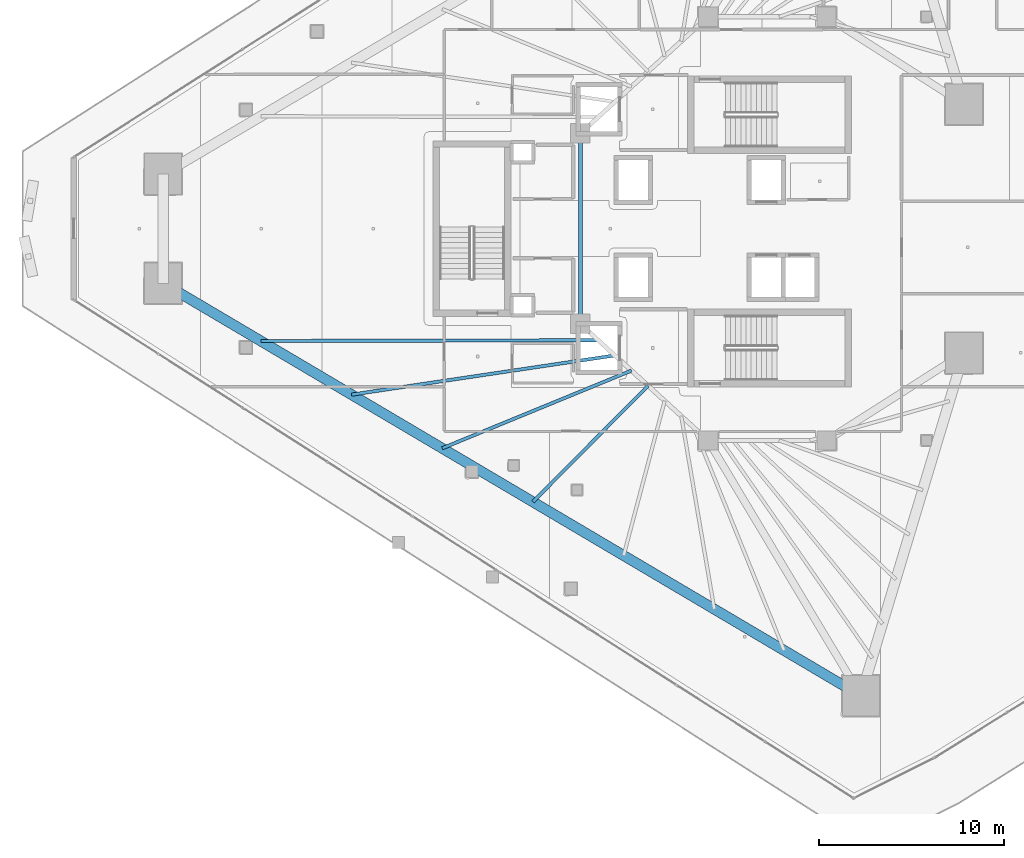
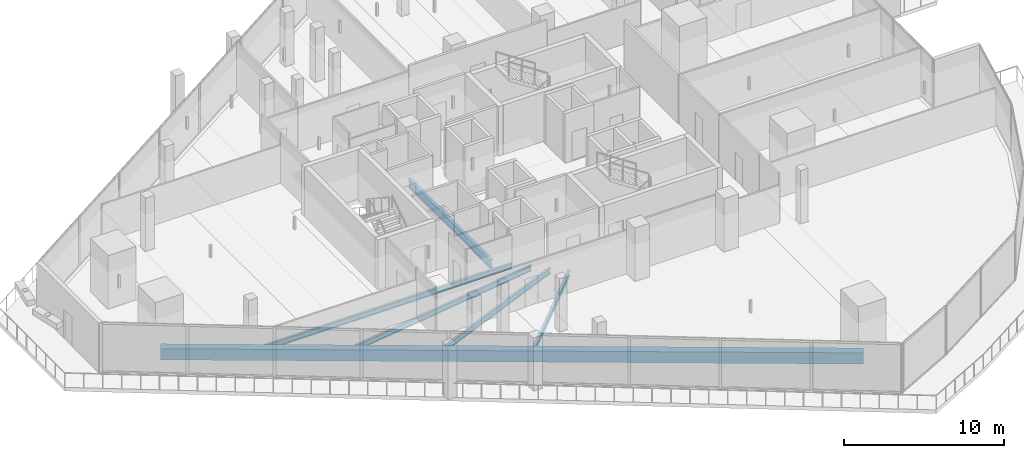
# One storey, part 6 of 42: 6 beams.
"""IFC4 building model written with IfcOpenShell, lengths in metres."""

from ifc_helpers import new_model, si_unit, direction, frame, origin, origin_2d, place, context, subcontext, project, spatial, rectangle, i_section, extrude, material, material_profile, profile_set, type_object, element, save


model = new_model("IFC4")

# Units and contexts
model_context = context("Model", 3, precision=1e-05, world=origin(), true_north=direction((0.0, 1.0)))
body_context = subcontext(model_context, "Body", "Model", "MODEL_VIEW")
ifc_project = project(units=[si_unit("LENGTHUNIT", "METRE"), si_unit("AREAUNIT", "SQUARE_METRE"), si_unit("VOLUMEUNIT", "CUBIC_METRE"), si_unit("PLANEANGLEUNIT", "RADIAN"), si_unit("MASSUNIT", "GRAM", prefix="KILO")], contexts=[model_context])

# Site, building, storey
site_placement = place(None, origin())
site = spatial("IfcSite", under=ifc_project, at=site_placement, CompositionType="ELEMENT")
building_placement = place(site_placement, origin())
building = spatial("IfcBuilding", under=site, at=building_placement, Name="Qorvath Tower", CompositionType="ELEMENT")
storey_placement = place(building_placement, frame((0.0, 0.0, 121.949951171875)))
storey = spatial("IfcBuildingStorey", under=building, at=storey_placement, Name="L27", CompositionType="ELEMENT", Elevation=121.949951171875)

# Beams
ifc_material_1 = material(Name="Steel ASTM A992 Grade 50", Category="steel")
ifc_material_profile_1 = material_profile(ifc_material_1, i_section(OverallWidth=0.22998046875, OverallDepth=0.616943359375, WebThickness=0.01318359375, FlangeThickness=0.022216796875, FilletRadius=0.014892578125, at=origin_2d()), Name="W24x94")
ifc_profile_set_1 = profile_set([ifc_material_profile_1], Name="Steel ASTM A992 Grade 50")
beam_type_1 = type_object("IfcBeamType", Name="BM-FG6", PredefinedType="BEAM", material=ifc_profile_set_1)
beam_1_placement = place(storey_placement, frame((-30.5, -5.14990234375, -0.588623046875), z_axis=(0.0, 1.0, 0.0), x_axis=(-1.0, 0.0, 0.0)))
element("IfcBeam", 1, at=beam_1_placement, inside=storey, type_object=beam_type_1, Name="Core Ring Girder CC6-CC5 L27", PredefinedType="BEAM", context=body_context, shape_type="SweptSolid", body=[
    extrude(i_section(OverallWidth=0.22998046875, OverallDepth=0.616943359375, WebThickness=0.01318359375, FlangeThickness=0.022216796875, FilletRadius=0.014892578125, at=origin_2d()), origin(), (0.0, 0.0, 1.0), 10.2998046875),
])
ifc_material_2 = material(Name="Steel ASTM A992 Grade 50", Category="steel")
ifc_material_profile_2 = material_profile(ifc_material_2, i_section(OverallWidth=0.177978515625, OverallDepth=0.406005859375, WebThickness=0.0078125, FlangeThickness=0.0126953125, FilletRadius=0.010986328125, at=origin_2d()), Name="W16x40")
ifc_profile_set_2 = profile_set([ifc_material_profile_2], Name="Steel ASTM A992 Grade 50")
beam_type_2 = type_object("IfcBeamType", Name="BM-FJ3", PredefinedType="JOIST", material=ifc_profile_set_2)
beam_2_placement = place(storey_placement, frame((-29.533935546875, -6.031982421875, -0.483154296875), z_axis=(-0.999997589883, -0.002195501951, 0.0), x_axis=(0.002195501951, -0.999997589883, 0.0)))
element("IfcBeam", 2, at=beam_2_placement, inside=storey, type_object=beam_type_2, Name="Composite Floor Joist SW1 L27", PredefinedType="JOIST", context=body_context, shape_type="SweptSolid", body=[
    extrude(i_section(OverallWidth=0.177978515625, OverallDepth=0.406005859375, WebThickness=0.0078125, FlangeThickness=0.0126953125, FilletRadius=0.010986328125, at=origin_2d()), origin(), (0.0, 0.0, 1.0), 18.23681640625),
])
beam_3_placement = place(storey_placement, frame((-28.636962890625, -6.85107421875, -0.483154296875), z_axis=(-0.989092860328, -0.147293291256, 0.0), x_axis=(0.147293291256, -0.989092860328, 0.0)))
element("IfcBeam", 3, at=beam_3_placement, inside=storey, type_object=beam_type_2, Name="Composite Floor Joist SW2 L27", PredefinedType="JOIST", context=body_context, shape_type="SweptSolid", body=[
    extrude(i_section(OverallWidth=0.177978515625, OverallDepth=0.406005859375, WebThickness=0.0078125, FlangeThickness=0.0126953125, FilletRadius=0.010986328125, at=origin_2d()), origin(), (0.0, 0.0, 1.0), 14.388916015625),
])
beam_4_placement = place(storey_placement, frame((-27.739990234375, -7.669921875, -0.483154296875), z_axis=(-0.925068176006, -0.379801092338, 0.0), x_axis=(0.379801092338, -0.925068176006, 0.0)))
element("IfcBeam", 4, at=beam_4_placement, inside=storey, type_object=beam_type_2, Name="Composite Floor Joist SW3 L27", PredefinedType="JOIST", context=body_context, shape_type="SweptSolid", body=[
    extrude(i_section(OverallWidth=0.177978515625, OverallDepth=0.406005859375, WebThickness=0.0078125, FlangeThickness=0.0126953125, FilletRadius=0.010986328125, at=origin_2d()), origin(), (0.0, 0.0, 1.0), 11.0556640625),
])
beam_5_placement = place(storey_placement, frame((-26.843017578125, -8.489013671875, -0.483154296875), z_axis=(-0.70395121362, -0.710248328997, 0.0), x_axis=(0.710248328997, -0.70395121362, 0.0)))
element("IfcBeam", 5, at=beam_5_placement, inside=storey, type_object=beam_type_2, Name="Composite Floor Joist SW4 L27", PredefinedType="JOIST", context=body_context, shape_type="SweptSolid", body=[
    extrude(i_section(OverallWidth=0.177978515625, OverallDepth=0.406005859375, WebThickness=0.0078125, FlangeThickness=0.0126953125, FilletRadius=0.010986328125, at=origin_2d()), origin(), (0.0, 0.0, 1.0), 8.839599609375),
])
ifc_material_3 = material(Name="Concrete C50/60", Category="concrete")
ifc_material_profile_3 = material_profile(ifc_material_3, rectangle(XDim=0.550048828125, YDim=0.85009765625, at=origin_2d()), Name="RCB 850x550")
ifc_profile_set_3 = profile_set([ifc_material_profile_3], Name="Concrete C50/60")
beam_type_3 = type_object("IfcBeamType", Name="BM-RCB2", PredefinedType="SPANDREL", material=ifc_profile_set_3)
beam_6_placement = place(storey_placement, frame((-53.04931640625, -2.95068359375, -0.705078125), z_axis=(0.860775142889, -0.508985415689, 0.0), x_axis=(0.508985415689, 0.860775142889, 0.0)))
element("IfcBeam", 6, at=beam_6_placement, inside=storey, type_object=beam_type_3, Name="Perimeter Loggia Frame Beam MC2-MC3 L27", PredefinedType="SPANDREL", context=body_context, shape_type="SweptSolid", body=[
    extrude(rectangle(XDim=0.550048828125, YDim=0.85009765625, at=origin_2d()), origin(), (0.0, 0.0, 1.0), 43.8037109375),
])

save(model, "model.ifc")
